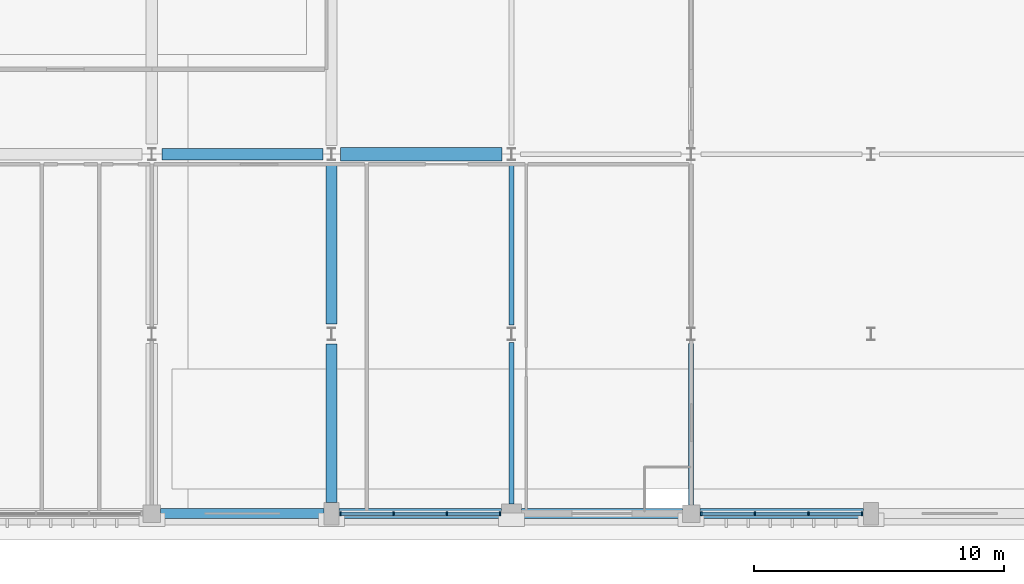
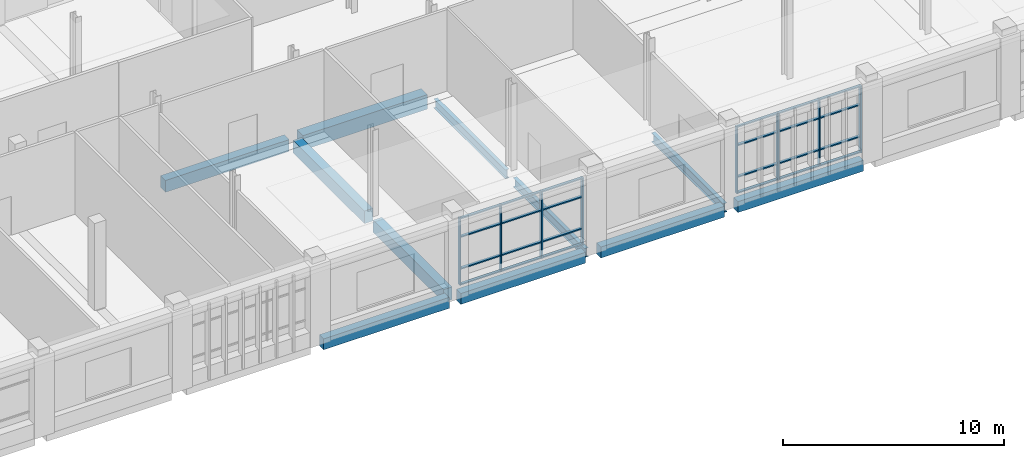
# One storey, part 29 of 82: 32 members, 11 beams, 2 elements without a shape of their own.
"""IFC4 building model written with IfcOpenShell, lengths in metres."""

from ifc_helpers import new_model, si_unit, direction, frame, origin, origin_2d, place, context, subcontext, project, spatial, rectangle, i_section, extrude, material, material_profile, profile_set, type_object, element, aggregate, save


model = new_model("IFC4")

# Units and contexts
model_context = context("Model", 3, precision=1e-05, world=origin(), true_north=direction((0.0, 1.0)))
body_context = subcontext(model_context, "Body", "Model", "MODEL_VIEW")
ifc_project = project(units=[si_unit("LENGTHUNIT", "METRE"), si_unit("AREAUNIT", "SQUARE_METRE"), si_unit("VOLUMEUNIT", "CUBIC_METRE"), si_unit("PLANEANGLEUNIT", "RADIAN"), si_unit("MASSUNIT", "GRAM", prefix="KILO")], contexts=[model_context])

# Site, building, storey
site_placement = place(None, origin())
site = spatial("IfcSite", under=ifc_project, at=site_placement, CompositionType="ELEMENT")
building_placement = place(site_placement, origin())
building = spatial("IfcBuilding", under=site, at=building_placement, Name="Sardonyx Promenade Sports Hall", CompositionType="ELEMENT")
storey_placement = place(building_placement, frame((0.0, 0.0, 11.199951171875)))
storey = spatial("IfcBuildingStorey", under=building, at=storey_placement, Name="L02", CompositionType="ELEMENT", Elevation=11.199951171875)

# Beams
ifc_material_1 = material(Name="Concrete C40/50", Category="concrete")
ifc_material_profile_1 = material_profile(ifc_material_1, rectangle(XDim=0.550048828125, YDim=0.800048828125, at=origin_2d()))
ifc_profile_set_1 = profile_set([ifc_material_profile_1], Name="Concrete C40/50")
beam_type_1 = type_object("IfcBeamType", Name="Bm_Girder_RC800", PredefinedType="BEAM", material=ifc_profile_set_1)
beam_1_placement = place(storey_placement, frame((101.14990234375, 14.39990234375, -0.39990234375), z_axis=(1.0, 0.0, 0.0), x_axis=(0.0, 1.0, 0.0)))
element("IfcBeam", 1, at=beam_1_placement, inside=storey, type_object=beam_type_1, Name="Beam BG04 L02 #484", PredefinedType="BEAM", context=body_context, shape_type="SweptSolid", body=[
    extrude(rectangle(XDim=0.550048828125, YDim=0.800048828125, at=origin_2d()), origin(), (0.0, 0.0, 1.0), 6.47509765625),
])
ifc_material_2 = material(Name="Steel S355JR", Category="steel")
ifc_material_profile_2 = material_profile(ifc_material_2, i_section(OverallWidth=0.199951171875, OverallDepth=0.5, WebThickness=0.01025390625, FlangeThickness=0.01611328125, at=origin_2d()))
ifc_profile_set_2 = profile_set([ifc_material_profile_2], Name="Steel S355JR")
beam_type_2 = type_object("IfcBeamType", Name="Bm_Primary_IPE500", PredefinedType="BEAM", material=ifc_profile_set_2)
beam_2_placement = place(storey_placement, frame((108.0, 0.39990234375, -0.52001953125), z_axis=(0.0, 1.0, 0.0), x_axis=(-1.0, 0.0, 0.0)))
element("IfcBeam", 2, at=beam_2_placement, inside=storey, type_object=beam_type_2, Name="Beam SB06 L02 #646", PredefinedType="BEAM", context=body_context, shape_type="SweptSolid", body=[
    extrude(i_section(OverallWidth=0.199951171875, OverallDepth=0.5, WebThickness=0.01025390625, FlangeThickness=0.01611328125, at=origin_2d()), origin(), (0.0, 0.0, 1.0), 6.4501953125),
])
for number, where, z_axis, x_axis, name in (
    (3, (108.0, 7.550048828125, -0.52001953125), (0.0, 1.0, 0.0), (-1.0, 0.0, 0.0), "Beam SB06 L02 #647"),
    (4, (115.199951171875, 0.35009765625, -0.5400390625), (0.0, 1.0, 0.0), (-1.0, 0.0, 0.0), "Beam SB06 L02 #660"),
):
    element("IfcBeam", number, at=place(storey_placement, frame(where, z_axis=z_axis, x_axis=x_axis)), inside=storey, type_object=beam_type_2, Name=name, PredefinedType="BEAM", context=body_context, shape_type="SweptSolid", body=[
        extrude(i_section(OverallWidth=0.199951171875, OverallDepth=0.5, WebThickness=0.01025390625, FlangeThickness=0.01611328125, at=origin_2d()), origin(), (0.0, 0.0, 1.0), 6.474853515625),
    ])
ifc_material_3 = material(Name="Concrete C40/50", Category="concrete")
ifc_material_profile_3 = material_profile(ifc_material_3, rectangle(XDim=0.449951171875, YDim=0.64990234375, at=origin_2d()))
ifc_profile_set_3 = profile_set([ifc_material_profile_3], Name="Concrete C40/50")
beam_type_3 = type_object("IfcBeamType", Name="Bm_Primary_RC650", PredefinedType="BEAM", material=ifc_profile_set_3)
beam_3_placement = place(storey_placement, frame((94.0, 14.39990234375, -0.324951171875), z_axis=(1.0, 0.0, 0.0), x_axis=(0.0, 1.0, 0.0)))
element("IfcBeam", 5, at=beam_3_placement, inside=storey, type_object=beam_type_3, Name="Beam BG05 L02 #483", PredefinedType="BEAM", context=body_context, shape_type="SweptSolid", body=[
    extrude(rectangle(XDim=0.449951171875, YDim=0.64990234375, at=origin_2d()), origin(), (0.0, 0.0, 1.0), 6.449951171875),
])
ifc_material_4 = material(Name="Concrete C40/50", Category="concrete")
ifc_material_profile_4 = material_profile(ifc_material_4, rectangle(XDim=0.449951171875, YDim=0.699951171875, at=origin_2d()))
ifc_profile_set_4 = profile_set([ifc_material_profile_4], Name="Concrete C40/50")
beam_type_4 = type_object("IfcBeamType", Name="Bm_Primary_RC700", PredefinedType="BEAM", material=ifc_profile_set_4)
beam_4_placement = place(storey_placement, frame((100.800048828125, 0.449951171875, -0.349853515625), z_axis=(0.0, 1.0, 0.0), x_axis=(-1.0, 0.0, 0.0)))
element("IfcBeam", 6, at=beam_4_placement, inside=storey, type_object=beam_type_4, Name="Beam BG01 L02 #636", PredefinedType="BEAM", context=body_context, shape_type="SweptSolid", body=[
    extrude(rectangle(XDim=0.449951171875, YDim=0.699951171875, at=origin_2d()), origin(), (0.0, 0.0, 1.0), 6.35009765625),
])
beam_5_placement = place(storey_placement, frame((100.800048828125, 7.60009765625, -0.349853515625), z_axis=(0.0, 1.0, 0.0), x_axis=(-1.0, 0.0, 0.0)))
element("IfcBeam", 7, at=beam_5_placement, inside=storey, type_object=beam_type_4, Name="Beam BG01 L02 #637", PredefinedType="BEAM", context=body_context, shape_type="SweptSolid", body=[
    extrude(rectangle(XDim=0.449951171875, YDim=0.699951171875, at=origin_2d()), origin(), (0.0, 0.0, 1.0), 6.449951171875),
])
ifc_material_5 = material(Name="Concrete C40/50", Category="concrete")
ifc_material_profile_5 = material_profile(ifc_material_5, rectangle(XDim=0.39990234375, YDim=0.60009765625, at=origin_2d()))
ifc_profile_set_5 = profile_set([ifc_material_profile_5], Name="Concrete C40/50")
beam_type_5 = type_object("IfcBeamType", Name="Bm_Spandrel_RC600", PredefinedType="SPANDREL", material=ifc_profile_set_5)
beam_6_placement = place(storey_placement, frame((93.949951171875, 0.0, -0.300048828125), z_axis=(1.0, 0.0, 0.0), x_axis=(0.0, 1.0, 0.0)))
element("IfcBeam", 8, at=beam_6_placement, inside=storey, type_object=beam_type_5, Name="Beam SPB1 L02 #460", PredefinedType="SPANDREL", context=body_context, shape_type="SweptSolid", body=[
    extrude(rectangle(XDim=0.39990234375, YDim=0.60009765625, at=origin_2d()), origin(), (0.0, 0.0, 1.0), 6.550048828125),
])
beam_7_placement = place(storey_placement, frame((101.10009765625, 0.0, -0.300048828125), z_axis=(1.0, 0.0, 0.0), x_axis=(0.0, 1.0, 0.0)))
element("IfcBeam", 9, at=beam_7_placement, inside=storey, type_object=beam_type_5, Name="Beam SPB1 L02 #461", PredefinedType="SPANDREL", context=body_context, shape_type="SweptSolid", body=[
    extrude(rectangle(XDim=0.39990234375, YDim=0.60009765625, at=origin_2d()), origin(), (0.0, 0.0, 1.0), 6.5),
])
beam_8_placement = place(storey_placement, frame((108.39990234375, 0.0, -0.300048828125), z_axis=(1.0, 0.0, 0.0), x_axis=(0.0, 1.0, 0.0)))
element("IfcBeam", 10, at=beam_8_placement, inside=storey, type_object=beam_type_5, Name="Beam SPB1 L02 #462", PredefinedType="SPANDREL", context=body_context, shape_type="SweptSolid", body=[
    extrude(rectangle(XDim=0.39990234375, YDim=0.60009765625, at=origin_2d()), origin(), (0.0, 0.0, 1.0), 6.4501953125),
])
beam_9_placement = place(storey_placement, frame((115.550048828125, 0.0, -0.300048828125), z_axis=(1.0, 0.0, 0.0), x_axis=(0.0, 1.0, 0.0)))
element("IfcBeam", 11, at=beam_9_placement, inside=storey, type_object=beam_type_5, Name="Beam SPB1 L02 #463", PredefinedType="SPANDREL", context=body_context, shape_type="SweptSolid", body=[
    extrude(rectangle(XDim=0.39990234375, YDim=0.60009765625, at=origin_2d()), origin(), (0.0, 0.0, 1.0), 6.550048828125),
])

# Curtain wall, members
ifc_material_6 = material(Name="Aluminium 6063-T6", Category="aluminium")
curtain_wall_type = type_object("IfcCurtainWallType", Name="CW_South_L02_640", PredefinedType="USERDEFINED", material=ifc_material_6)
curtain_wall_1_placement = place(storey_placement, origin())
curtain_wall_1 = element("IfcCurtainWall", 12, at=curtain_wall_1_placement, inside=storey, type_object=curtain_wall_type, Name="Curtain wall CW01 cw:L02:032", ObjectType="CURTAIN WALL", PredefinedType="USERDEFINED")
ifc_material_7 = material(Name="Aluminium 6063-T6", Category="aluminium")
ifc_material_profile_6 = material_profile(ifc_material_7, rectangle(XDim=0.06494140625, YDim=0.175048828125, at=origin_2d()))
ifc_profile_set_6 = profile_set([ifc_material_profile_6], Name="Aluminium 6063-T6")
member_type_1 = type_object("IfcMemberType", Name="CW_Mull_175", PredefinedType="MULLION", material=ifc_profile_set_6)
member_1_placement = place(storey_placement, frame((122.047607421875, 0.0, 0.35009765625), z_axis=(0.0, 0.0, 1.0), x_axis=(-1.0, 0.0, 0.0)))
member_1 = element("IfcMember", 13, at=member_1_placement, type_object=member_type_1, Name="Mullion CM02 cw:L02:032 #1", PredefinedType="MULLION", context=body_context, shape_type="SweptSolid", body=[
    extrude(rectangle(XDim=0.06494140625, YDim=0.175048828125, at=origin_2d()), origin(), (0.0, 0.0, 1.0), 3.699951171875),
])
member_2_placement = place(storey_placement, frame((119.899169921875, 0.0, 0.35009765625), z_axis=(0.0, 0.0, 1.0), x_axis=(-1.0, 0.0, 0.0)))
member_2 = element("IfcMember", 14, at=member_2_placement, type_object=member_type_1, Name="Mullion CM02 cw:L02:032 #2", PredefinedType="MULLION", context=body_context, shape_type="SweptSolid", body=[
    extrude(rectangle(XDim=0.06494140625, YDim=0.175048828125, at=origin_2d()), origin(), (0.0, 0.0, 1.0), 3.699951171875),
])
member_3_placement = place(storey_placement, frame((117.750732421875, 0.0, 0.35009765625), z_axis=(0.0, 0.0, 1.0), x_axis=(-1.0, 0.0, 0.0)))
member_3 = element("IfcMember", 15, at=member_3_placement, type_object=member_type_1, Name="Mullion CM02 cw:L02:032 #3", PredefinedType="MULLION", context=body_context, shape_type="SweptSolid", body=[
    extrude(rectangle(XDim=0.06494140625, YDim=0.175048828125, at=origin_2d()), origin(), (0.0, 0.0, 1.0), 3.699951171875),
])
member_4_placement = place(storey_placement, frame((115.6025390625, 0.0, 0.35009765625), z_axis=(0.0, 0.0, 1.0), x_axis=(-1.0, 0.0, 0.0)))
member_4 = element("IfcMember", 16, at=member_4_placement, type_object=member_type_1, Name="Mullion CM02 cw:L02:032 #4", PredefinedType="MULLION", context=body_context, shape_type="SweptSolid", body=[
    extrude(rectangle(XDim=0.06494140625, YDim=0.175048828125, at=origin_2d()), origin(), (0.0, 0.0, 1.0), 3.699951171875),
])

curtain_wall_2_placement = place(storey_placement, origin())
curtain_wall_2 = element("IfcCurtainWall", 17, at=curtain_wall_2_placement, inside=storey, type_object=curtain_wall_type, Name="Curtain wall CW01 cw:L02:033", ObjectType="CURTAIN WALL", PredefinedType="USERDEFINED")
member_5_placement = place(storey_placement, frame((107.547607421875, 0.0, 0.35009765625), z_axis=(0.0, 0.0, 1.0), x_axis=(-1.0, 0.0, 0.0)))
member_5 = element("IfcMember", 18, at=member_5_placement, type_object=member_type_1, Name="Mullion CM02 cw:L02:033 #1", PredefinedType="MULLION", context=body_context, shape_type="SweptSolid", body=[
    extrude(rectangle(XDim=0.06494140625, YDim=0.175048828125, at=origin_2d()), origin(), (0.0, 0.0, 1.0), 3.699951171875),
])
member_6_placement = place(storey_placement, frame((105.415771484375, 0.0, 0.35009765625), z_axis=(0.0, 0.0, 1.0), x_axis=(-1.0, 0.0, 0.0)))
member_6 = element("IfcMember", 19, at=member_6_placement, type_object=member_type_1, Name="Mullion CM02 cw:L02:033 #2", PredefinedType="MULLION", context=body_context, shape_type="SweptSolid", body=[
    extrude(rectangle(XDim=0.06494140625, YDim=0.175048828125, at=origin_2d()), origin(), (0.0, 0.0, 1.0), 3.699951171875),
])
member_7_placement = place(storey_placement, frame((103.2841796875, 0.0, 0.35009765625), z_axis=(0.0, 0.0, 1.0), x_axis=(-1.0, 0.0, 0.0)))
member_7 = element("IfcMember", 20, at=member_7_placement, type_object=member_type_1, Name="Mullion CM02 cw:L02:033 #3", PredefinedType="MULLION", context=body_context, shape_type="SweptSolid", body=[
    extrude(rectangle(XDim=0.06494140625, YDim=0.175048828125, at=origin_2d()), origin(), (0.0, 0.0, 1.0), 3.699951171875),
])
member_8_placement = place(storey_placement, frame((101.152587890625, 0.0, 0.35009765625), z_axis=(0.0, 0.0, 1.0), x_axis=(-1.0, 0.0, 0.0)))
member_8 = element("IfcMember", 21, at=member_8_placement, type_object=member_type_1, Name="Mullion CM02 cw:L02:033 #4", PredefinedType="MULLION", context=body_context, shape_type="SweptSolid", body=[
    extrude(rectangle(XDim=0.06494140625, YDim=0.175048828125, at=origin_2d()), origin(), (0.0, 0.0, 1.0), 3.699951171875),
])

# Member
ifc_material_8 = material(Name="Aluminium 6063-T6", Category="aluminium")
ifc_material_profile_7 = material_profile(ifc_material_8, rectangle(XDim=0.06494140625, YDim=0.139892578125, at=origin_2d()))
ifc_profile_set_7 = profile_set([ifc_material_profile_7], Name="Aluminium 6063-T6")
member_type_2 = type_object("IfcMemberType", Name="CW_Tran_140", PredefinedType="USERDEFINED", material=ifc_profile_set_7)
member_9_placement = place(storey_placement, frame((122.014892578125, 0.0, 0.382568359375), z_axis=(-1.0, 0.0, 0.0), x_axis=(0.0, 0.0, 1.0)))
member_9 = element("IfcMember", 22, at=member_9_placement, type_object=member_type_2, Name="Transom CT02 cw:L02:032 #1", ObjectType="TRANSOM", PredefinedType="USERDEFINED", context=body_context, shape_type="SweptSolid", body=[
    extrude(rectangle(XDim=0.06494140625, YDim=0.139892578125, at=origin_2d()), origin(), (0.0, 0.0, 1.0), 2.083251953125),
])

member_10_placement = place(storey_placement, frame((122.014892578125, 0.0, 1.25), z_axis=(-1.0, 0.0, 0.0), x_axis=(0.0, 0.0, 1.0)))
member_10 = element("IfcMember", 23, at=member_10_placement, type_object=member_type_2, Name="Transom CT02 cw:L02:032 #2", ObjectType="TRANSOM", PredefinedType="USERDEFINED", context=body_context, shape_type="SweptSolid", body=[
    extrude(rectangle(XDim=0.06494140625, YDim=0.139892578125, at=origin_2d()), origin(), (0.0, 0.0, 1.0), 2.083251953125),
])

member_11_placement = place(storey_placement, frame((122.014892578125, 0.0, 3.0), z_axis=(-1.0, 0.0, 0.0), x_axis=(0.0, 0.0, 1.0)))
member_11 = element("IfcMember", 24, at=member_11_placement, type_object=member_type_2, Name="Transom CT02 cw:L02:032 #3", ObjectType="TRANSOM", PredefinedType="USERDEFINED", context=body_context, shape_type="SweptSolid", body=[
    extrude(rectangle(XDim=0.06494140625, YDim=0.139892578125, at=origin_2d()), origin(), (0.0, 0.0, 1.0), 2.083251953125),
])

member_12_placement = place(storey_placement, frame((122.014892578125, 0.0, 4.017578125), z_axis=(-1.0, 0.0, 0.0), x_axis=(0.0, 0.0, 1.0)))
member_12 = element("IfcMember", 25, at=member_12_placement, type_object=member_type_2, Name="Transom CT02 cw:L02:032 #4", ObjectType="TRANSOM", PredefinedType="USERDEFINED", context=body_context, shape_type="SweptSolid", body=[
    extrude(rectangle(XDim=0.06494140625, YDim=0.139892578125, at=origin_2d()), origin(), (0.0, 0.0, 1.0), 2.083251953125),
])

member_13_placement = place(storey_placement, frame((119.86669921875, 0.0, 0.382568359375), z_axis=(-1.0, 0.0, 0.0), x_axis=(0.0, 0.0, 1.0)))
member_13 = element("IfcMember", 26, at=member_13_placement, type_object=member_type_2, Name="Transom CT02 cw:L02:032 #5", ObjectType="TRANSOM", PredefinedType="USERDEFINED", context=body_context, shape_type="SweptSolid", body=[
    extrude(rectangle(XDim=0.06494140625, YDim=0.139892578125, at=origin_2d()), origin(), (0.0, 0.0, 1.0), 2.083251953125),
])

member_14_placement = place(storey_placement, frame((119.86669921875, 0.0, 1.25), z_axis=(-1.0, 0.0, 0.0), x_axis=(0.0, 0.0, 1.0)))
member_14 = element("IfcMember", 27, at=member_14_placement, type_object=member_type_2, Name="Transom CT02 cw:L02:032 #6", ObjectType="TRANSOM", PredefinedType="USERDEFINED", context=body_context, shape_type="SweptSolid", body=[
    extrude(rectangle(XDim=0.06494140625, YDim=0.139892578125, at=origin_2d()), origin(), (0.0, 0.0, 1.0), 2.083251953125),
])

member_15_placement = place(storey_placement, frame((119.86669921875, 0.0, 3.0), z_axis=(-1.0, 0.0, 0.0), x_axis=(0.0, 0.0, 1.0)))
member_15 = element("IfcMember", 28, at=member_15_placement, type_object=member_type_2, Name="Transom CT02 cw:L02:032 #7", ObjectType="TRANSOM", PredefinedType="USERDEFINED", context=body_context, shape_type="SweptSolid", body=[
    extrude(rectangle(XDim=0.06494140625, YDim=0.139892578125, at=origin_2d()), origin(), (0.0, 0.0, 1.0), 2.083251953125),
])

member_16_placement = place(storey_placement, frame((119.86669921875, 0.0, 4.017578125), z_axis=(-1.0, 0.0, 0.0), x_axis=(0.0, 0.0, 1.0)))
member_16 = element("IfcMember", 29, at=member_16_placement, type_object=member_type_2, Name="Transom CT02 cw:L02:032 #8", ObjectType="TRANSOM", PredefinedType="USERDEFINED", context=body_context, shape_type="SweptSolid", body=[
    extrude(rectangle(XDim=0.06494140625, YDim=0.139892578125, at=origin_2d()), origin(), (0.0, 0.0, 1.0), 2.083251953125),
])

member_17_placement = place(storey_placement, frame((117.71826171875, 0.0, 0.382568359375), z_axis=(-1.0, 0.0, 0.0), x_axis=(0.0, 0.0, 1.0)))
member_17 = element("IfcMember", 30, at=member_17_placement, type_object=member_type_2, Name="Transom CT02 cw:L02:032 #9", ObjectType="TRANSOM", PredefinedType="USERDEFINED", context=body_context, shape_type="SweptSolid", body=[
    extrude(rectangle(XDim=0.06494140625, YDim=0.139892578125, at=origin_2d()), origin(), (0.0, 0.0, 1.0), 2.083251953125),
])

member_18_placement = place(storey_placement, frame((117.71826171875, 0.0, 1.25), z_axis=(-1.0, 0.0, 0.0), x_axis=(0.0, 0.0, 1.0)))
member_18 = element("IfcMember", 31, at=member_18_placement, type_object=member_type_2, Name="Transom CT02 cw:L02:032 #10", ObjectType="TRANSOM", PredefinedType="USERDEFINED", context=body_context, shape_type="SweptSolid", body=[
    extrude(rectangle(XDim=0.06494140625, YDim=0.139892578125, at=origin_2d()), origin(), (0.0, 0.0, 1.0), 2.083251953125),
])

member_19_placement = place(storey_placement, frame((117.71826171875, 0.0, 3.0), z_axis=(-1.0, 0.0, 0.0), x_axis=(0.0, 0.0, 1.0)))
member_19 = element("IfcMember", 32, at=member_19_placement, type_object=member_type_2, Name="Transom CT02 cw:L02:032 #11", ObjectType="TRANSOM", PredefinedType="USERDEFINED", context=body_context, shape_type="SweptSolid", body=[
    extrude(rectangle(XDim=0.06494140625, YDim=0.139892578125, at=origin_2d()), origin(), (0.0, 0.0, 1.0), 2.083251953125),
])

member_20_placement = place(storey_placement, frame((117.71826171875, 0.0, 4.017578125), z_axis=(-1.0, 0.0, 0.0), x_axis=(0.0, 0.0, 1.0)))
member_20 = element("IfcMember", 33, at=member_20_placement, type_object=member_type_2, Name="Transom CT02 cw:L02:032 #12", ObjectType="TRANSOM", PredefinedType="USERDEFINED", context=body_context, shape_type="SweptSolid", body=[
    extrude(rectangle(XDim=0.06494140625, YDim=0.139892578125, at=origin_2d()), origin(), (0.0, 0.0, 1.0), 2.083251953125),
])

aggregate(curtain_wall_1, [member_1, member_2, member_3, member_4, member_9, member_10, member_11, member_12, member_13, member_14, member_15, member_16, member_17, member_18, member_19, member_20])

member_21_placement = place(storey_placement, frame((107.514892578125, 0.0, 0.382568359375), z_axis=(-1.0, 0.0, 0.0), x_axis=(0.0, 0.0, 1.0)))
member_21 = element("IfcMember", 34, at=member_21_placement, type_object=member_type_2, Name="Transom CT02 cw:L02:033 #1", ObjectType="TRANSOM", PredefinedType="USERDEFINED", context=body_context, shape_type="SweptSolid", body=[
    extrude(rectangle(XDim=0.06494140625, YDim=0.139892578125, at=origin_2d()), origin(), (0.0, 0.0, 1.0), 2.066650390625),
])

member_22_placement = place(storey_placement, frame((107.514892578125, 0.0, 1.25), z_axis=(-1.0, 0.0, 0.0), x_axis=(0.0, 0.0, 1.0)))
member_22 = element("IfcMember", 35, at=member_22_placement, type_object=member_type_2, Name="Transom CT02 cw:L02:033 #2", ObjectType="TRANSOM", PredefinedType="USERDEFINED", context=body_context, shape_type="SweptSolid", body=[
    extrude(rectangle(XDim=0.06494140625, YDim=0.139892578125, at=origin_2d()), origin(), (0.0, 0.0, 1.0), 2.066650390625),
])

member_23_placement = place(storey_placement, frame((107.514892578125, 0.0, 3.0), z_axis=(-1.0, 0.0, 0.0), x_axis=(0.0, 0.0, 1.0)))
member_23 = element("IfcMember", 36, at=member_23_placement, type_object=member_type_2, Name="Transom CT02 cw:L02:033 #3", ObjectType="TRANSOM", PredefinedType="USERDEFINED", context=body_context, shape_type="SweptSolid", body=[
    extrude(rectangle(XDim=0.06494140625, YDim=0.139892578125, at=origin_2d()), origin(), (0.0, 0.0, 1.0), 2.066650390625),
])

member_24_placement = place(storey_placement, frame((107.514892578125, 0.0, 4.017578125), z_axis=(-1.0, 0.0, 0.0), x_axis=(0.0, 0.0, 1.0)))
member_24 = element("IfcMember", 37, at=member_24_placement, type_object=member_type_2, Name="Transom CT02 cw:L02:033 #4", ObjectType="TRANSOM", PredefinedType="USERDEFINED", context=body_context, shape_type="SweptSolid", body=[
    extrude(rectangle(XDim=0.06494140625, YDim=0.139892578125, at=origin_2d()), origin(), (0.0, 0.0, 1.0), 2.066650390625),
])

member_25_placement = place(storey_placement, frame((105.38330078125, 0.0, 0.382568359375), z_axis=(-1.0, 0.0, 0.0), x_axis=(0.0, 0.0, 1.0)))
member_25 = element("IfcMember", 38, at=member_25_placement, type_object=member_type_2, Name="Transom CT02 cw:L02:033 #5", ObjectType="TRANSOM", PredefinedType="USERDEFINED", context=body_context, shape_type="SweptSolid", body=[
    extrude(rectangle(XDim=0.06494140625, YDim=0.139892578125, at=origin_2d()), origin(), (0.0, 0.0, 1.0), 2.066650390625),
])

member_26_placement = place(storey_placement, frame((105.38330078125, 0.0, 1.25), z_axis=(-1.0, 0.0, 0.0), x_axis=(0.0, 0.0, 1.0)))
member_26 = element("IfcMember", 39, at=member_26_placement, type_object=member_type_2, Name="Transom CT02 cw:L02:033 #6", ObjectType="TRANSOM", PredefinedType="USERDEFINED", context=body_context, shape_type="SweptSolid", body=[
    extrude(rectangle(XDim=0.06494140625, YDim=0.139892578125, at=origin_2d()), origin(), (0.0, 0.0, 1.0), 2.066650390625),
])

member_27_placement = place(storey_placement, frame((105.38330078125, 0.0, 3.0), z_axis=(-1.0, 0.0, 0.0), x_axis=(0.0, 0.0, 1.0)))
member_27 = element("IfcMember", 40, at=member_27_placement, type_object=member_type_2, Name="Transom CT02 cw:L02:033 #7", ObjectType="TRANSOM", PredefinedType="USERDEFINED", context=body_context, shape_type="SweptSolid", body=[
    extrude(rectangle(XDim=0.06494140625, YDim=0.139892578125, at=origin_2d()), origin(), (0.0, 0.0, 1.0), 2.066650390625),
])

member_28_placement = place(storey_placement, frame((105.38330078125, 0.0, 4.017578125), z_axis=(-1.0, 0.0, 0.0), x_axis=(0.0, 0.0, 1.0)))
member_28 = element("IfcMember", 41, at=member_28_placement, type_object=member_type_2, Name="Transom CT02 cw:L02:033 #8", ObjectType="TRANSOM", PredefinedType="USERDEFINED", context=body_context, shape_type="SweptSolid", body=[
    extrude(rectangle(XDim=0.06494140625, YDim=0.139892578125, at=origin_2d()), origin(), (0.0, 0.0, 1.0), 2.066650390625),
])

member_29_placement = place(storey_placement, frame((103.251708984375, 0.0, 0.382568359375), z_axis=(-1.0, 0.0, 0.0), x_axis=(0.0, 0.0, 1.0)))
member_29 = element("IfcMember", 42, at=member_29_placement, type_object=member_type_2, Name="Transom CT02 cw:L02:033 #9", ObjectType="TRANSOM", PredefinedType="USERDEFINED", context=body_context, shape_type="SweptSolid", body=[
    extrude(rectangle(XDim=0.06494140625, YDim=0.139892578125, at=origin_2d()), origin(), (0.0, 0.0, 1.0), 2.066650390625),
])

member_30_placement = place(storey_placement, frame((103.251708984375, 0.0, 1.25), z_axis=(-1.0, 0.0, 0.0), x_axis=(0.0, 0.0, 1.0)))
member_30 = element("IfcMember", 43, at=member_30_placement, type_object=member_type_2, Name="Transom CT02 cw:L02:033 #10", ObjectType="TRANSOM", PredefinedType="USERDEFINED", context=body_context, shape_type="SweptSolid", body=[
    extrude(rectangle(XDim=0.06494140625, YDim=0.139892578125, at=origin_2d()), origin(), (0.0, 0.0, 1.0), 2.066650390625),
])

member_31_placement = place(storey_placement, frame((103.251708984375, 0.0, 3.0), z_axis=(-1.0, 0.0, 0.0), x_axis=(0.0, 0.0, 1.0)))
member_31 = element("IfcMember", 44, at=member_31_placement, type_object=member_type_2, Name="Transom CT02 cw:L02:033 #11", ObjectType="TRANSOM", PredefinedType="USERDEFINED", context=body_context, shape_type="SweptSolid", body=[
    extrude(rectangle(XDim=0.06494140625, YDim=0.139892578125, at=origin_2d()), origin(), (0.0, 0.0, 1.0), 2.066650390625),
])

member_32_placement = place(storey_placement, frame((103.251708984375, 0.0, 4.017578125), z_axis=(-1.0, 0.0, 0.0), x_axis=(0.0, 0.0, 1.0)))
member_32 = element("IfcMember", 45, at=member_32_placement, type_object=member_type_2, Name="Transom CT02 cw:L02:033 #12", ObjectType="TRANSOM", PredefinedType="USERDEFINED", context=body_context, shape_type="SweptSolid", body=[
    extrude(rectangle(XDim=0.06494140625, YDim=0.139892578125, at=origin_2d()), origin(), (0.0, 0.0, 1.0), 2.066650390625),
])

aggregate(curtain_wall_2, [member_5, member_6, member_7, member_8, member_21, member_22, member_23, member_24, member_25, member_26, member_27, member_28, member_29, member_30, member_31, member_32])

save(model, "model.ifc")
